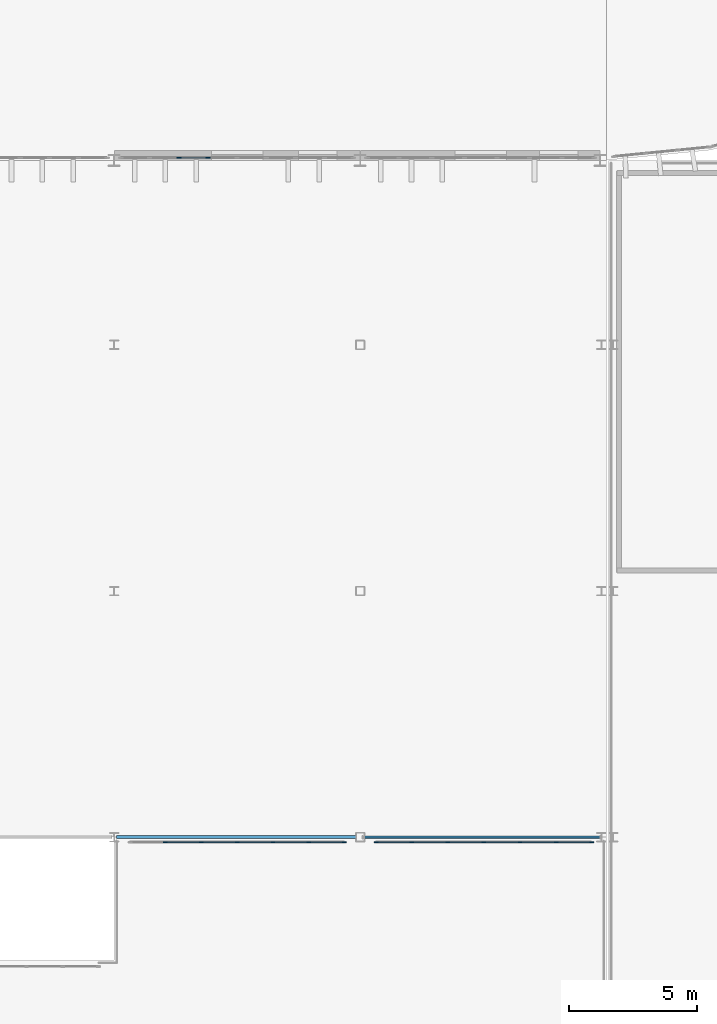
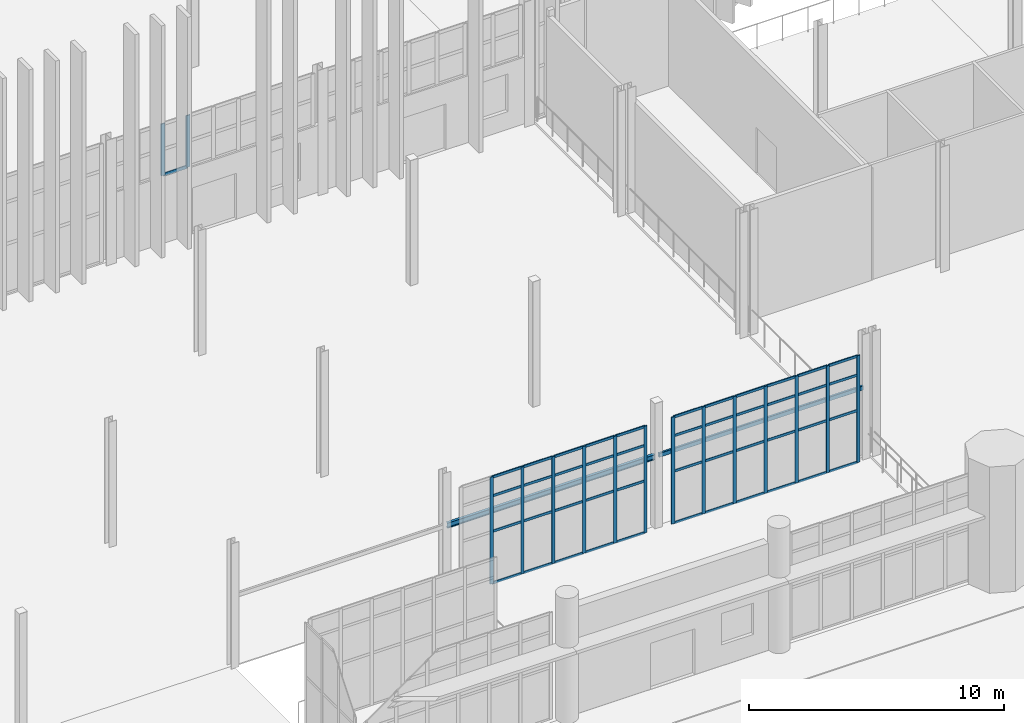
# One storey, part 51 of 139: 60 members, 2 beams, 3 elements without a shape of their own.
"""IFC4 building model written with IfcOpenShell, lengths in metres."""

from ifc_helpers import new_model, si_unit, direction, frame, origin, origin_2d, place, context, subcontext, project, spatial, rectangle, hollow_rectangle, i_section, extrude, material, layer, layer_set, material_profile, profile_set, type_object, element, aggregate, save


model = new_model("IFC4")

# Units and contexts
model_context = context("Model", 3, precision=1e-05, world=origin(), true_north=direction((0.0, 1.0)))
body_context = subcontext(model_context, "Body", "Model", "MODEL_VIEW")
ifc_project = project(units=[si_unit("LENGTHUNIT", "METRE"), si_unit("AREAUNIT", "SQUARE_METRE"), si_unit("VOLUMEUNIT", "CUBIC_METRE"), si_unit("PLANEANGLEUNIT", "RADIAN"), si_unit("MASSUNIT", "GRAM", prefix="KILO")], contexts=[model_context])

# Site, building, storey
site_placement = place(None, origin())
site = spatial("IfcSite", under=ifc_project, at=site_placement, CompositionType="ELEMENT")
building_placement = place(site_placement, origin())
building = spatial("IfcBuilding", under=site, at=building_placement, Name="Yeouljin Market Hall", CompositionType="ELEMENT")
storey_placement = place(building_placement, origin())
storey = spatial("IfcBuildingStorey", under=building, at=storey_placement, Name="L00", CompositionType="ELEMENT", Elevation=0.0)

# Curtain wall, members
ifc_material_1 = material(Name="Thermally Broken Aluminium", Category="aluminium")
ifc_layer_1 = layer(ifc_material_1, 0.14990234375)
ifc_layer_set_1 = layer_set([ifc_layer_1], Name="Thermally Broken Aluminium")
curtain_wall_type_1 = type_object("IfcCurtainWallType", Name="CW_ColonnadeScreen_System", PredefinedType="USERDEFINED", material=ifc_layer_set_1)
curtain_wall_1_placement = place(storey_placement, origin())
curtain_wall_1 = element("IfcCurtainWall", 1, at=curtain_wall_1_placement, inside=storey, type_object=curtain_wall_type_1, Name="Curtain wall CW-V5N-L00-5", ObjectType="CURTAIN WALL", PredefinedType="USERDEFINED")
ifc_material_2 = material(Name="Thermally Broken Aluminium", Category="aluminium")
ifc_material_profile_1 = material_profile(ifc_material_2, rectangle(XDim=0.048095703125, YDim=0.14990234375, at=origin_2d()), Name="CW-MULL-48x150")
ifc_profile_set_1 = profile_set([ifc_material_profile_1], Name="Thermally Broken Aluminium")
member_type_1 = type_object("IfcMemberType", Name="CWMullion_48x150", PredefinedType="MULLION", material=ifc_profile_set_1)
member_1_placement = place(storey_placement, frame((123.800048828125, 9.39990234375, 0.0), z_axis=(0.0, 0.0, 1.0), x_axis=(0.0, 1.0, 0.0)))
member_1 = element("IfcMember", 2, at=member_1_placement, type_object=member_type_1, Name="CW-06 mullion 2", PredefinedType="MULLION", context=body_context, shape_type="SweptSolid", body=[
    extrude(rectangle(XDim=0.048095703125, YDim=0.14990234375, at=origin_2d()), origin(), (0.0, 0.0, 1.0), 5.1201171875),
])
member_2_placement = place(storey_placement, frame((125.199951171875, 9.39990234375, 0.0), z_axis=(0.0, 0.0, 1.0), x_axis=(0.0, 1.0, 0.0)))
member_2 = element("IfcMember", 3, at=member_2_placement, type_object=member_type_1, Name="CW-06 mullion 3", PredefinedType="MULLION", context=body_context, shape_type="SweptSolid", body=[
    extrude(rectangle(XDim=0.048095703125, YDim=0.14990234375, at=origin_2d()), origin(), (0.0, 0.0, 1.0), 5.1201171875),
])
member_3_placement = place(storey_placement, frame((126.60009765625, 9.39990234375, 0.0), z_axis=(0.0, 0.0, 1.0), x_axis=(0.0, 1.0, 0.0)))
member_3 = element("IfcMember", 4, at=member_3_placement, type_object=member_type_1, Name="CW-06 mullion 4", PredefinedType="MULLION", context=body_context, shape_type="SweptSolid", body=[
    extrude(rectangle(XDim=0.048095703125, YDim=0.14990234375, at=origin_2d()), origin(), (0.0, 0.0, 1.0), 5.1201171875),
])
member_4_placement = place(storey_placement, frame((128.0, 9.39990234375, 0.0), z_axis=(0.0, 0.0, 1.0), x_axis=(0.0, 1.0, 0.0)))
member_4 = element("IfcMember", 5, at=member_4_placement, type_object=member_type_1, Name="CW-06 mullion 5", PredefinedType="MULLION", context=body_context, shape_type="SweptSolid", body=[
    extrude(rectangle(XDim=0.048095703125, YDim=0.14990234375, at=origin_2d()), origin(), (0.0, 0.0, 1.0), 5.1201171875),
])
member_5_placement = place(storey_placement, frame((129.39990234375, 9.39990234375, 0.0), z_axis=(0.0, 0.0, 1.0), x_axis=(0.0, 1.0, 0.0)))
member_5 = element("IfcMember", 6, at=member_5_placement, type_object=member_type_1, Name="CW-06 mullion 6", PredefinedType="MULLION", context=body_context, shape_type="SweptSolid", body=[
    extrude(rectangle(XDim=0.048095703125, YDim=0.14990234375, at=origin_2d()), origin(), (0.0, 0.0, 1.0), 5.1201171875),
])
member_6_placement = place(storey_placement, frame((130.77587890625, 9.39990234375, 0.0), z_axis=(0.0, 0.0, 1.0), x_axis=(0.0, 1.0, 0.0)))
member_6 = element("IfcMember", 7, at=member_6_placement, type_object=member_type_1, Name="CW-06 mullion 7", PredefinedType="MULLION", context=body_context, shape_type="SweptSolid", body=[
    extrude(rectangle(XDim=0.048095703125, YDim=0.14990234375, at=origin_2d()), origin(), (0.0, 0.0, 1.0), 5.1201171875),
])

curtain_wall_2_placement = place(storey_placement, origin())
curtain_wall_2 = element("IfcCurtainWall", 8, at=curtain_wall_2_placement, inside=storey, type_object=curtain_wall_type_1, Name="Curtain wall CW-V5N-L00-6", ObjectType="CURTAIN WALL", PredefinedType="USERDEFINED")
member_7_placement = place(storey_placement, frame((132.02392578125, 9.39990234375, 0.0), z_axis=(0.0, 0.0, 1.0), x_axis=(0.0, 1.0, 0.0)))
member_7 = element("IfcMember", 9, at=member_7_placement, type_object=member_type_1, Name="CW-06 mullion 1", PredefinedType="MULLION", context=body_context, shape_type="SweptSolid", body=[
    extrude(rectangle(XDim=0.048095703125, YDim=0.14990234375, at=origin_2d()), origin(), (0.0, 0.0, 1.0), 5.1201171875),
])
member_8_placement = place(storey_placement, frame((133.408447265625, 9.39990234375, 0.0), z_axis=(0.0, 0.0, 1.0), x_axis=(0.0, 1.0, 0.0)))
member_8 = element("IfcMember", 10, at=member_8_placement, type_object=member_type_1, Name="CW-06 mullion 2", PredefinedType="MULLION", context=body_context, shape_type="SweptSolid", body=[
    extrude(rectangle(XDim=0.048095703125, YDim=0.14990234375, at=origin_2d()), origin(), (0.0, 0.0, 1.0), 5.1201171875),
])
member_9_placement = place(storey_placement, frame((134.816650390625, 9.39990234375, 0.0), z_axis=(0.0, 0.0, 1.0), x_axis=(0.0, 1.0, 0.0)))
member_9 = element("IfcMember", 11, at=member_9_placement, type_object=member_type_1, Name="CW-06 mullion 3", PredefinedType="MULLION", context=body_context, shape_type="SweptSolid", body=[
    extrude(rectangle(XDim=0.048095703125, YDim=0.14990234375, at=origin_2d()), origin(), (0.0, 0.0, 1.0), 5.1201171875),
])
member_10_placement = place(storey_placement, frame((136.22509765625, 9.39990234375, 0.0), z_axis=(0.0, 0.0, 1.0), x_axis=(0.0, 1.0, 0.0)))
member_10 = element("IfcMember", 12, at=member_10_placement, type_object=member_type_1, Name="CW-06 mullion 4", PredefinedType="MULLION", context=body_context, shape_type="SweptSolid", body=[
    extrude(rectangle(XDim=0.048095703125, YDim=0.14990234375, at=origin_2d()), origin(), (0.0, 0.0, 1.0), 5.1201171875),
])
member_11_placement = place(storey_placement, frame((137.63330078125, 9.39990234375, 0.0), z_axis=(0.0, 0.0, 1.0), x_axis=(0.0, 1.0, 0.0)))
member_11 = element("IfcMember", 13, at=member_11_placement, type_object=member_type_1, Name="CW-06 mullion 5", PredefinedType="MULLION", context=body_context, shape_type="SweptSolid", body=[
    extrude(rectangle(XDim=0.048095703125, YDim=0.14990234375, at=origin_2d()), origin(), (0.0, 0.0, 1.0), 5.1201171875),
])
member_12_placement = place(storey_placement, frame((139.041748046875, 9.39990234375, 0.0), z_axis=(0.0, 0.0, 1.0), x_axis=(0.0, 1.0, 0.0)))
member_12 = element("IfcMember", 14, at=member_12_placement, type_object=member_type_1, Name="CW-06 mullion 6", PredefinedType="MULLION", context=body_context, shape_type="SweptSolid", body=[
    extrude(rectangle(XDim=0.048095703125, YDim=0.14990234375, at=origin_2d()), origin(), (0.0, 0.0, 1.0), 5.1201171875),
])
member_13_placement = place(storey_placement, frame((140.426025390625, 9.39990234375, 0.0), z_axis=(0.0, 0.0, 1.0), x_axis=(0.0, 1.0, 0.0)))
member_13 = element("IfcMember", 15, at=member_13_placement, type_object=member_type_1, Name="CW-06 mullion 7", PredefinedType="MULLION", context=body_context, shape_type="SweptSolid", body=[
    extrude(rectangle(XDim=0.048095703125, YDim=0.14990234375, at=origin_2d()), origin(), (0.0, 0.0, 1.0), 5.1201171875),
])

ifc_material_3 = material(Name="Thermally Broken Aluminium", Category="aluminium")
ifc_layer_2 = layer(ifc_material_3, 0.179931640625)
ifc_layer_set_2 = layer_set([ifc_layer_2], Name="Thermally Broken Aluminium")
curtain_wall_type_2 = type_object("IfcCurtainWallType", Name="CW_HallNave_System", PredefinedType="USERDEFINED", material=ifc_layer_set_2)
curtain_wall_3_placement = place(storey_placement, origin())
curtain_wall_3 = element("IfcCurtainWall", 16, at=curtain_wall_3_placement, inside=storey, type_object=curtain_wall_type_2, Name="Curtain wall CW-V1S-L00-10", ObjectType="CURTAIN WALL", PredefinedType="USERDEFINED")
ifc_material_4 = material(Name="Thermally Broken Aluminium", Category="aluminium")
ifc_material_profile_2 = material_profile(ifc_material_4, rectangle(XDim=0.048095703125, YDim=0.179931640625, at=origin_2d()), Name="CW-MULL-48x180")
ifc_profile_set_2 = profile_set([ifc_material_profile_2], Name="Thermally Broken Aluminium")
member_type_2 = type_object("IfcMemberType", Name="CWMullion_48x180", PredefinedType="MULLION", material=ifc_profile_set_2)
member_14_placement = place(storey_placement, frame((125.46240234375, 36.10009765625, 3.199951171875), z_axis=(0.0, 0.0, 1.0), x_axis=(0.0, -1.0, 0.0)))
member_14 = element("IfcMember", 17, at=member_14_placement, type_object=member_type_2, Name="CW-01 mullion 6", PredefinedType="MULLION", context=body_context, shape_type="SweptSolid", body=[
    extrude(rectangle(XDim=0.048095703125, YDim=0.179931640625, at=origin_2d()), origin(), (0.0, 0.0, 1.0), 2.47998046875),
])
member_15_placement = place(storey_placement, frame((124.324951171875, 36.10009765625, 3.199951171875), z_axis=(0.0, 0.0, 1.0), x_axis=(0.0, -1.0, 0.0)))
member_15 = element("IfcMember", 18, at=member_15_placement, type_object=member_type_2, Name="CW-01 mullion 7", PredefinedType="MULLION", context=body_context, shape_type="SweptSolid", body=[
    extrude(rectangle(XDim=0.048095703125, YDim=0.179931640625, at=origin_2d()), origin(), (0.0, 0.0, 1.0), 2.47998046875),
])

# Member
ifc_material_5 = material(Name="Thermally Broken Aluminium", Category="aluminium")
ifc_material_profile_3 = material_profile(ifc_material_5, rectangle(XDim=0.048095703125, YDim=0.1201171875, at=origin_2d()), Name="CW-TRAN-48x120")
ifc_profile_set_3 = profile_set([ifc_material_profile_3], Name="Thermally Broken Aluminium")
member_type_3 = type_object("IfcMemberType", Name="CWTransom_48x120", PredefinedType="USERDEFINED", material=ifc_profile_set_3)
member_16_placement = place(storey_placement, frame((123.823974609375, 9.39990234375, 0.02392578125), z_axis=(1.0, 0.0, 0.0), x_axis=(0.0, 1.0, 0.0)))
member_16 = element("IfcMember", 19, at=member_16_placement, type_object=member_type_3, Name="CW-06 transom 2.1", ObjectType="TRANSOM", PredefinedType="USERDEFINED", context=body_context, shape_type="SweptSolid", body=[
    extrude(rectangle(XDim=0.048095703125, YDim=0.1201171875, at=origin_2d()), origin(), (0.0, 0.0, 1.0), 1.35205078125),
])

member_17_placement = place(storey_placement, frame((123.823974609375, 9.39990234375, 2.5), z_axis=(1.0, 0.0, 0.0), x_axis=(0.0, 1.0, 0.0)))
member_17 = element("IfcMember", 20, at=member_17_placement, type_object=member_type_3, Name="CW-06 transom 2.2", ObjectType="TRANSOM", PredefinedType="USERDEFINED", context=body_context, shape_type="SweptSolid", body=[
    extrude(rectangle(XDim=0.048095703125, YDim=0.1201171875, at=origin_2d()), origin(), (0.0, 0.0, 1.0), 1.35205078125),
])

member_18_placement = place(storey_placement, frame((123.823974609375, 9.39990234375, 4.199951171875), z_axis=(1.0, 0.0, 0.0), x_axis=(0.0, 1.0, 0.0)))
member_18 = element("IfcMember", 21, at=member_18_placement, type_object=member_type_3, Name="CW-06 transom 2.3", ObjectType="TRANSOM", PredefinedType="USERDEFINED", context=body_context, shape_type="SweptSolid", body=[
    extrude(rectangle(XDim=0.048095703125, YDim=0.1201171875, at=origin_2d()), origin(), (0.0, 0.0, 1.0), 1.35205078125),
])

member_19_placement = place(storey_placement, frame((123.823974609375, 9.39990234375, 5.095947265625), z_axis=(1.0, 0.0, 0.0), x_axis=(0.0, 1.0, 0.0)))
member_19 = element("IfcMember", 22, at=member_19_placement, type_object=member_type_3, Name="CW-06 transom 2.4", ObjectType="TRANSOM", PredefinedType="USERDEFINED", context=body_context, shape_type="SweptSolid", body=[
    extrude(rectangle(XDim=0.048095703125, YDim=0.1201171875, at=origin_2d()), origin(), (0.0, 0.0, 1.0), 1.35205078125),
])

member_20_placement = place(storey_placement, frame((125.22412109375, 9.39990234375, 0.02392578125), z_axis=(1.0, 0.0, 0.0), x_axis=(0.0, 1.0, 0.0)))
member_20 = element("IfcMember", 23, at=member_20_placement, type_object=member_type_3, Name="CW-06 transom 3.1", ObjectType="TRANSOM", PredefinedType="USERDEFINED", context=body_context, shape_type="SweptSolid", body=[
    extrude(rectangle(XDim=0.048095703125, YDim=0.1201171875, at=origin_2d()), origin(), (0.0, 0.0, 1.0), 1.351806640625),
])

member_21_placement = place(storey_placement, frame((125.22412109375, 9.39990234375, 2.5), z_axis=(1.0, 0.0, 0.0), x_axis=(0.0, 1.0, 0.0)))
member_21 = element("IfcMember", 24, at=member_21_placement, type_object=member_type_3, Name="CW-06 transom 3.2", ObjectType="TRANSOM", PredefinedType="USERDEFINED", context=body_context, shape_type="SweptSolid", body=[
    extrude(rectangle(XDim=0.048095703125, YDim=0.1201171875, at=origin_2d()), origin(), (0.0, 0.0, 1.0), 1.351806640625),
])

member_22_placement = place(storey_placement, frame((125.22412109375, 9.39990234375, 4.199951171875), z_axis=(1.0, 0.0, 0.0), x_axis=(0.0, 1.0, 0.0)))
member_22 = element("IfcMember", 25, at=member_22_placement, type_object=member_type_3, Name="CW-06 transom 3.3", ObjectType="TRANSOM", PredefinedType="USERDEFINED", context=body_context, shape_type="SweptSolid", body=[
    extrude(rectangle(XDim=0.048095703125, YDim=0.1201171875, at=origin_2d()), origin(), (0.0, 0.0, 1.0), 1.351806640625),
])

member_23_placement = place(storey_placement, frame((125.22412109375, 9.39990234375, 5.095947265625), z_axis=(1.0, 0.0, 0.0), x_axis=(0.0, 1.0, 0.0)))
member_23 = element("IfcMember", 26, at=member_23_placement, type_object=member_type_3, Name="CW-06 transom 3.4", ObjectType="TRANSOM", PredefinedType="USERDEFINED", context=body_context, shape_type="SweptSolid", body=[
    extrude(rectangle(XDim=0.048095703125, YDim=0.1201171875, at=origin_2d()), origin(), (0.0, 0.0, 1.0), 1.351806640625),
])

member_24_placement = place(storey_placement, frame((126.6240234375, 9.39990234375, 0.02392578125), z_axis=(1.0, 0.0, 0.0), x_axis=(0.0, 1.0, 0.0)))
member_24 = element("IfcMember", 27, at=member_24_placement, type_object=member_type_3, Name="CW-06 transom 4.1", ObjectType="TRANSOM", PredefinedType="USERDEFINED", context=body_context, shape_type="SweptSolid", body=[
    extrude(rectangle(XDim=0.048095703125, YDim=0.1201171875, at=origin_2d()), origin(), (0.0, 0.0, 1.0), 1.35205078125),
])

member_25_placement = place(storey_placement, frame((126.6240234375, 9.39990234375, 2.5), z_axis=(1.0, 0.0, 0.0), x_axis=(0.0, 1.0, 0.0)))
member_25 = element("IfcMember", 28, at=member_25_placement, type_object=member_type_3, Name="CW-06 transom 4.2", ObjectType="TRANSOM", PredefinedType="USERDEFINED", context=body_context, shape_type="SweptSolid", body=[
    extrude(rectangle(XDim=0.048095703125, YDim=0.1201171875, at=origin_2d()), origin(), (0.0, 0.0, 1.0), 1.35205078125),
])

member_26_placement = place(storey_placement, frame((126.6240234375, 9.39990234375, 4.199951171875), z_axis=(1.0, 0.0, 0.0), x_axis=(0.0, 1.0, 0.0)))
member_26 = element("IfcMember", 29, at=member_26_placement, type_object=member_type_3, Name="CW-06 transom 4.3", ObjectType="TRANSOM", PredefinedType="USERDEFINED", context=body_context, shape_type="SweptSolid", body=[
    extrude(rectangle(XDim=0.048095703125, YDim=0.1201171875, at=origin_2d()), origin(), (0.0, 0.0, 1.0), 1.35205078125),
])

member_27_placement = place(storey_placement, frame((126.6240234375, 9.39990234375, 5.095947265625), z_axis=(1.0, 0.0, 0.0), x_axis=(0.0, 1.0, 0.0)))
member_27 = element("IfcMember", 30, at=member_27_placement, type_object=member_type_3, Name="CW-06 transom 4.4", ObjectType="TRANSOM", PredefinedType="USERDEFINED", context=body_context, shape_type="SweptSolid", body=[
    extrude(rectangle(XDim=0.048095703125, YDim=0.1201171875, at=origin_2d()), origin(), (0.0, 0.0, 1.0), 1.35205078125),
])

member_28_placement = place(storey_placement, frame((128.02392578125, 9.39990234375, 0.02392578125), z_axis=(1.0, 0.0, 0.0), x_axis=(0.0, 1.0, 0.0)))
member_28 = element("IfcMember", 31, at=member_28_placement, type_object=member_type_3, Name="CW-06 transom 5.1", ObjectType="TRANSOM", PredefinedType="USERDEFINED", context=body_context, shape_type="SweptSolid", body=[
    extrude(rectangle(XDim=0.048095703125, YDim=0.1201171875, at=origin_2d()), origin(), (0.0, 0.0, 1.0), 1.35205078125),
])

member_29_placement = place(storey_placement, frame((128.02392578125, 9.39990234375, 2.5), z_axis=(1.0, 0.0, 0.0), x_axis=(0.0, 1.0, 0.0)))
member_29 = element("IfcMember", 32, at=member_29_placement, type_object=member_type_3, Name="CW-06 transom 5.2", ObjectType="TRANSOM", PredefinedType="USERDEFINED", context=body_context, shape_type="SweptSolid", body=[
    extrude(rectangle(XDim=0.048095703125, YDim=0.1201171875, at=origin_2d()), origin(), (0.0, 0.0, 1.0), 1.35205078125),
])

member_30_placement = place(storey_placement, frame((128.02392578125, 9.39990234375, 4.199951171875), z_axis=(1.0, 0.0, 0.0), x_axis=(0.0, 1.0, 0.0)))
member_30 = element("IfcMember", 33, at=member_30_placement, type_object=member_type_3, Name="CW-06 transom 5.3", ObjectType="TRANSOM", PredefinedType="USERDEFINED", context=body_context, shape_type="SweptSolid", body=[
    extrude(rectangle(XDim=0.048095703125, YDim=0.1201171875, at=origin_2d()), origin(), (0.0, 0.0, 1.0), 1.35205078125),
])

member_31_placement = place(storey_placement, frame((128.02392578125, 9.39990234375, 5.095947265625), z_axis=(1.0, 0.0, 0.0), x_axis=(0.0, 1.0, 0.0)))
member_31 = element("IfcMember", 34, at=member_31_placement, type_object=member_type_3, Name="CW-06 transom 5.4", ObjectType="TRANSOM", PredefinedType="USERDEFINED", context=body_context, shape_type="SweptSolid", body=[
    extrude(rectangle(XDim=0.048095703125, YDim=0.1201171875, at=origin_2d()), origin(), (0.0, 0.0, 1.0), 1.35205078125),
])

member_32_placement = place(storey_placement, frame((129.424072265625, 9.39990234375, 0.02392578125), z_axis=(1.0, 0.0, 0.0), x_axis=(0.0, 1.0, 0.0)))
member_32 = element("IfcMember", 35, at=member_32_placement, type_object=member_type_3, Name="CW-06 transom 6.1", ObjectType="TRANSOM", PredefinedType="USERDEFINED", context=body_context, shape_type="SweptSolid", body=[
    extrude(rectangle(XDim=0.048095703125, YDim=0.1201171875, at=origin_2d()), origin(), (0.0, 0.0, 1.0), 1.327880859375),
])

member_33_placement = place(storey_placement, frame((129.424072265625, 9.39990234375, 2.5), z_axis=(1.0, 0.0, 0.0), x_axis=(0.0, 1.0, 0.0)))
member_33 = element("IfcMember", 36, at=member_33_placement, type_object=member_type_3, Name="CW-06 transom 6.2", ObjectType="TRANSOM", PredefinedType="USERDEFINED", context=body_context, shape_type="SweptSolid", body=[
    extrude(rectangle(XDim=0.048095703125, YDim=0.1201171875, at=origin_2d()), origin(), (0.0, 0.0, 1.0), 1.327880859375),
])

member_34_placement = place(storey_placement, frame((129.424072265625, 9.39990234375, 4.199951171875), z_axis=(1.0, 0.0, 0.0), x_axis=(0.0, 1.0, 0.0)))
member_34 = element("IfcMember", 37, at=member_34_placement, type_object=member_type_3, Name="CW-06 transom 6.3", ObjectType="TRANSOM", PredefinedType="USERDEFINED", context=body_context, shape_type="SweptSolid", body=[
    extrude(rectangle(XDim=0.048095703125, YDim=0.1201171875, at=origin_2d()), origin(), (0.0, 0.0, 1.0), 1.327880859375),
])

member_35_placement = place(storey_placement, frame((129.424072265625, 9.39990234375, 5.095947265625), z_axis=(1.0, 0.0, 0.0), x_axis=(0.0, 1.0, 0.0)))
member_35 = element("IfcMember", 38, at=member_35_placement, type_object=member_type_3, Name="CW-06 transom 6.4", ObjectType="TRANSOM", PredefinedType="USERDEFINED", context=body_context, shape_type="SweptSolid", body=[
    extrude(rectangle(XDim=0.048095703125, YDim=0.1201171875, at=origin_2d()), origin(), (0.0, 0.0, 1.0), 1.327880859375),
])

aggregate(curtain_wall_1, [member_1, member_2, member_3, member_4, member_5, member_6, member_16, member_17, member_18, member_19, member_20, member_21, member_22, member_23, member_24, member_25, member_26, member_27, member_28, member_29, member_30, member_31, member_32, member_33, member_34, member_35])

member_36_placement = place(storey_placement, frame((132.048095703125, 9.39990234375, 0.02392578125), z_axis=(1.0, 0.0, 0.0), x_axis=(0.0, 1.0, 0.0)))
member_36 = element("IfcMember", 39, at=member_36_placement, type_object=member_type_3, Name="CW-06 transom 1.1", ObjectType="TRANSOM", PredefinedType="USERDEFINED", context=body_context, shape_type="SweptSolid", body=[
    extrude(rectangle(XDim=0.048095703125, YDim=0.1201171875, at=origin_2d()), origin(), (0.0, 0.0, 1.0), 1.336181640625),
])

member_37_placement = place(storey_placement, frame((132.048095703125, 9.39990234375, 2.5), z_axis=(1.0, 0.0, 0.0), x_axis=(0.0, 1.0, 0.0)))
member_37 = element("IfcMember", 40, at=member_37_placement, type_object=member_type_3, Name="CW-06 transom 1.2", ObjectType="TRANSOM", PredefinedType="USERDEFINED", context=body_context, shape_type="SweptSolid", body=[
    extrude(rectangle(XDim=0.048095703125, YDim=0.1201171875, at=origin_2d()), origin(), (0.0, 0.0, 1.0), 1.336181640625),
])

member_38_placement = place(storey_placement, frame((132.048095703125, 9.39990234375, 4.199951171875), z_axis=(1.0, 0.0, 0.0), x_axis=(0.0, 1.0, 0.0)))
member_38 = element("IfcMember", 41, at=member_38_placement, type_object=member_type_3, Name="CW-06 transom 1.3", ObjectType="TRANSOM", PredefinedType="USERDEFINED", context=body_context, shape_type="SweptSolid", body=[
    extrude(rectangle(XDim=0.048095703125, YDim=0.1201171875, at=origin_2d()), origin(), (0.0, 0.0, 1.0), 1.336181640625),
])

member_39_placement = place(storey_placement, frame((132.048095703125, 9.39990234375, 5.095947265625), z_axis=(1.0, 0.0, 0.0), x_axis=(0.0, 1.0, 0.0)))
member_39 = element("IfcMember", 42, at=member_39_placement, type_object=member_type_3, Name="CW-06 transom 1.4", ObjectType="TRANSOM", PredefinedType="USERDEFINED", context=body_context, shape_type="SweptSolid", body=[
    extrude(rectangle(XDim=0.048095703125, YDim=0.1201171875, at=origin_2d()), origin(), (0.0, 0.0, 1.0), 1.336181640625),
])

member_40_placement = place(storey_placement, frame((133.432373046875, 9.39990234375, 0.02392578125), z_axis=(1.0, 0.0, 0.0), x_axis=(0.0, 1.0, 0.0)))
member_40 = element("IfcMember", 43, at=member_40_placement, type_object=member_type_3, Name="CW-06 transom 2.1", ObjectType="TRANSOM", PredefinedType="USERDEFINED", context=body_context, shape_type="SweptSolid", body=[
    extrude(rectangle(XDim=0.048095703125, YDim=0.1201171875, at=origin_2d()), origin(), (0.0, 0.0, 1.0), 1.3603515625),
])

member_41_placement = place(storey_placement, frame((133.432373046875, 9.39990234375, 2.5), z_axis=(1.0, 0.0, 0.0), x_axis=(0.0, 1.0, 0.0)))
member_41 = element("IfcMember", 44, at=member_41_placement, type_object=member_type_3, Name="CW-06 transom 2.2", ObjectType="TRANSOM", PredefinedType="USERDEFINED", context=body_context, shape_type="SweptSolid", body=[
    extrude(rectangle(XDim=0.048095703125, YDim=0.1201171875, at=origin_2d()), origin(), (0.0, 0.0, 1.0), 1.3603515625),
])

member_42_placement = place(storey_placement, frame((133.432373046875, 9.39990234375, 4.199951171875), z_axis=(1.0, 0.0, 0.0), x_axis=(0.0, 1.0, 0.0)))
member_42 = element("IfcMember", 45, at=member_42_placement, type_object=member_type_3, Name="CW-06 transom 2.3", ObjectType="TRANSOM", PredefinedType="USERDEFINED", context=body_context, shape_type="SweptSolid", body=[
    extrude(rectangle(XDim=0.048095703125, YDim=0.1201171875, at=origin_2d()), origin(), (0.0, 0.0, 1.0), 1.3603515625),
])

member_43_placement = place(storey_placement, frame((133.432373046875, 9.39990234375, 5.095947265625), z_axis=(1.0, 0.0, 0.0), x_axis=(0.0, 1.0, 0.0)))
member_43 = element("IfcMember", 46, at=member_43_placement, type_object=member_type_3, Name="CW-06 transom 2.4", ObjectType="TRANSOM", PredefinedType="USERDEFINED", context=body_context, shape_type="SweptSolid", body=[
    extrude(rectangle(XDim=0.048095703125, YDim=0.1201171875, at=origin_2d()), origin(), (0.0, 0.0, 1.0), 1.3603515625),
])

member_44_placement = place(storey_placement, frame((134.840576171875, 9.39990234375, 0.02392578125), z_axis=(1.0, 0.0, 0.0), x_axis=(0.0, 1.0, 0.0)))
member_44 = element("IfcMember", 47, at=member_44_placement, type_object=member_type_3, Name="CW-06 transom 3.1", ObjectType="TRANSOM", PredefinedType="USERDEFINED", context=body_context, shape_type="SweptSolid", body=[
    extrude(rectangle(XDim=0.048095703125, YDim=0.1201171875, at=origin_2d()), origin(), (0.0, 0.0, 1.0), 1.3603515625),
])

member_45_placement = place(storey_placement, frame((134.840576171875, 9.39990234375, 2.5), z_axis=(1.0, 0.0, 0.0), x_axis=(0.0, 1.0, 0.0)))
member_45 = element("IfcMember", 48, at=member_45_placement, type_object=member_type_3, Name="CW-06 transom 3.2", ObjectType="TRANSOM", PredefinedType="USERDEFINED", context=body_context, shape_type="SweptSolid", body=[
    extrude(rectangle(XDim=0.048095703125, YDim=0.1201171875, at=origin_2d()), origin(), (0.0, 0.0, 1.0), 1.3603515625),
])

member_46_placement = place(storey_placement, frame((134.840576171875, 9.39990234375, 4.199951171875), z_axis=(1.0, 0.0, 0.0), x_axis=(0.0, 1.0, 0.0)))
member_46 = element("IfcMember", 49, at=member_46_placement, type_object=member_type_3, Name="CW-06 transom 3.3", ObjectType="TRANSOM", PredefinedType="USERDEFINED", context=body_context, shape_type="SweptSolid", body=[
    extrude(rectangle(XDim=0.048095703125, YDim=0.1201171875, at=origin_2d()), origin(), (0.0, 0.0, 1.0), 1.3603515625),
])

member_47_placement = place(storey_placement, frame((134.840576171875, 9.39990234375, 5.095947265625), z_axis=(1.0, 0.0, 0.0), x_axis=(0.0, 1.0, 0.0)))
member_47 = element("IfcMember", 50, at=member_47_placement, type_object=member_type_3, Name="CW-06 transom 3.4", ObjectType="TRANSOM", PredefinedType="USERDEFINED", context=body_context, shape_type="SweptSolid", body=[
    extrude(rectangle(XDim=0.048095703125, YDim=0.1201171875, at=origin_2d()), origin(), (0.0, 0.0, 1.0), 1.3603515625),
])

member_48_placement = place(storey_placement, frame((136.2490234375, 9.39990234375, 0.02392578125), z_axis=(1.0, 0.0, 0.0), x_axis=(0.0, 1.0, 0.0)))
member_48 = element("IfcMember", 51, at=member_48_placement, type_object=member_type_3, Name="CW-06 transom 4.1", ObjectType="TRANSOM", PredefinedType="USERDEFINED", context=body_context, shape_type="SweptSolid", body=[
    extrude(rectangle(XDim=0.048095703125, YDim=0.1201171875, at=origin_2d()), origin(), (0.0, 0.0, 1.0), 1.3603515625),
])

member_49_placement = place(storey_placement, frame((136.2490234375, 9.39990234375, 2.5), z_axis=(1.0, 0.0, 0.0), x_axis=(0.0, 1.0, 0.0)))
member_49 = element("IfcMember", 52, at=member_49_placement, type_object=member_type_3, Name="CW-06 transom 4.2", ObjectType="TRANSOM", PredefinedType="USERDEFINED", context=body_context, shape_type="SweptSolid", body=[
    extrude(rectangle(XDim=0.048095703125, YDim=0.1201171875, at=origin_2d()), origin(), (0.0, 0.0, 1.0), 1.3603515625),
])

member_50_placement = place(storey_placement, frame((136.2490234375, 9.39990234375, 4.199951171875), z_axis=(1.0, 0.0, 0.0), x_axis=(0.0, 1.0, 0.0)))
member_50 = element("IfcMember", 53, at=member_50_placement, type_object=member_type_3, Name="CW-06 transom 4.3", ObjectType="TRANSOM", PredefinedType="USERDEFINED", context=body_context, shape_type="SweptSolid", body=[
    extrude(rectangle(XDim=0.048095703125, YDim=0.1201171875, at=origin_2d()), origin(), (0.0, 0.0, 1.0), 1.3603515625),
])

member_51_placement = place(storey_placement, frame((136.2490234375, 9.39990234375, 5.095947265625), z_axis=(1.0, 0.0, 0.0), x_axis=(0.0, 1.0, 0.0)))
member_51 = element("IfcMember", 54, at=member_51_placement, type_object=member_type_3, Name="CW-06 transom 4.4", ObjectType="TRANSOM", PredefinedType="USERDEFINED", context=body_context, shape_type="SweptSolid", body=[
    extrude(rectangle(XDim=0.048095703125, YDim=0.1201171875, at=origin_2d()), origin(), (0.0, 0.0, 1.0), 1.3603515625),
])

member_52_placement = place(storey_placement, frame((137.6572265625, 9.39990234375, 0.02392578125), z_axis=(1.0, 0.0, 0.0), x_axis=(0.0, 1.0, 0.0)))
member_52 = element("IfcMember", 55, at=member_52_placement, type_object=member_type_3, Name="CW-06 transom 5.1", ObjectType="TRANSOM", PredefinedType="USERDEFINED", context=body_context, shape_type="SweptSolid", body=[
    extrude(rectangle(XDim=0.048095703125, YDim=0.1201171875, at=origin_2d()), origin(), (0.0, 0.0, 1.0), 1.3603515625),
])

member_53_placement = place(storey_placement, frame((137.6572265625, 9.39990234375, 2.5), z_axis=(1.0, 0.0, 0.0), x_axis=(0.0, 1.0, 0.0)))
member_53 = element("IfcMember", 56, at=member_53_placement, type_object=member_type_3, Name="CW-06 transom 5.2", ObjectType="TRANSOM", PredefinedType="USERDEFINED", context=body_context, shape_type="SweptSolid", body=[
    extrude(rectangle(XDim=0.048095703125, YDim=0.1201171875, at=origin_2d()), origin(), (0.0, 0.0, 1.0), 1.3603515625),
])

member_54_placement = place(storey_placement, frame((137.6572265625, 9.39990234375, 4.199951171875), z_axis=(1.0, 0.0, 0.0), x_axis=(0.0, 1.0, 0.0)))
member_54 = element("IfcMember", 57, at=member_54_placement, type_object=member_type_3, Name="CW-06 transom 5.3", ObjectType="TRANSOM", PredefinedType="USERDEFINED", context=body_context, shape_type="SweptSolid", body=[
    extrude(rectangle(XDim=0.048095703125, YDim=0.1201171875, at=origin_2d()), origin(), (0.0, 0.0, 1.0), 1.3603515625),
])

member_55_placement = place(storey_placement, frame((137.6572265625, 9.39990234375, 5.095947265625), z_axis=(1.0, 0.0, 0.0), x_axis=(0.0, 1.0, 0.0)))
member_55 = element("IfcMember", 58, at=member_55_placement, type_object=member_type_3, Name="CW-06 transom 5.4", ObjectType="TRANSOM", PredefinedType="USERDEFINED", context=body_context, shape_type="SweptSolid", body=[
    extrude(rectangle(XDim=0.048095703125, YDim=0.1201171875, at=origin_2d()), origin(), (0.0, 0.0, 1.0), 1.3603515625),
])

member_56_placement = place(storey_placement, frame((139.065673828125, 9.39990234375, 0.02392578125), z_axis=(1.0, 0.0, 0.0), x_axis=(0.0, 1.0, 0.0)))
member_56 = element("IfcMember", 59, at=member_56_placement, type_object=member_type_3, Name="CW-06 transom 6.1", ObjectType="TRANSOM", PredefinedType="USERDEFINED", context=body_context, shape_type="SweptSolid", body=[
    extrude(rectangle(XDim=0.048095703125, YDim=0.1201171875, at=origin_2d()), origin(), (0.0, 0.0, 1.0), 1.33642578125),
])

member_57_placement = place(storey_placement, frame((139.065673828125, 9.39990234375, 2.5), z_axis=(1.0, 0.0, 0.0), x_axis=(0.0, 1.0, 0.0)))
member_57 = element("IfcMember", 60, at=member_57_placement, type_object=member_type_3, Name="CW-06 transom 6.2", ObjectType="TRANSOM", PredefinedType="USERDEFINED", context=body_context, shape_type="SweptSolid", body=[
    extrude(rectangle(XDim=0.048095703125, YDim=0.1201171875, at=origin_2d()), origin(), (0.0, 0.0, 1.0), 1.33642578125),
])

member_58_placement = place(storey_placement, frame((139.065673828125, 9.39990234375, 4.199951171875), z_axis=(1.0, 0.0, 0.0), x_axis=(0.0, 1.0, 0.0)))
member_58 = element("IfcMember", 61, at=member_58_placement, type_object=member_type_3, Name="CW-06 transom 6.3", ObjectType="TRANSOM", PredefinedType="USERDEFINED", context=body_context, shape_type="SweptSolid", body=[
    extrude(rectangle(XDim=0.048095703125, YDim=0.1201171875, at=origin_2d()), origin(), (0.0, 0.0, 1.0), 1.33642578125),
])

member_59_placement = place(storey_placement, frame((139.065673828125, 9.39990234375, 5.095947265625), z_axis=(1.0, 0.0, 0.0), x_axis=(0.0, 1.0, 0.0)))
member_59 = element("IfcMember", 62, at=member_59_placement, type_object=member_type_3, Name="CW-06 transom 6.4", ObjectType="TRANSOM", PredefinedType="USERDEFINED", context=body_context, shape_type="SweptSolid", body=[
    extrude(rectangle(XDim=0.048095703125, YDim=0.1201171875, at=origin_2d()), origin(), (0.0, 0.0, 1.0), 1.33642578125),
])

aggregate(curtain_wall_2, [member_7, member_8, member_9, member_10, member_11, member_12, member_13, member_36, member_37, member_38, member_39, member_40, member_41, member_42, member_43, member_44, member_45, member_46, member_47, member_48, member_49, member_50, member_51, member_52, member_53, member_54, member_55, member_56, member_57, member_58, member_59])

ifc_material_6 = material(Name="Thermally Broken Aluminium", Category="aluminium")
ifc_material_profile_4 = material_profile(ifc_material_6, rectangle(XDim=0.048095703125, YDim=0.14990234375, at=origin_2d()), Name="CW-TRAN-48x150")
ifc_profile_set_4 = profile_set([ifc_material_profile_4], Name="Thermally Broken Aluminium")
member_type_4 = type_object("IfcMemberType", Name="CWTransom_48x150", PredefinedType="USERDEFINED", material=ifc_profile_set_4)
member_60_placement = place(storey_placement, frame((125.4384765625, 36.10009765625, 3.22412109375), z_axis=(-1.0, 0.0, 0.0), x_axis=(0.0, -1.0, 0.0)))
member_60 = element("IfcMember", 63, at=member_60_placement, type_object=member_type_4, Name="CW-01 transom 6.1", ObjectType="TRANSOM", PredefinedType="USERDEFINED", context=body_context, shape_type="SweptSolid", body=[
    extrude(rectangle(XDim=0.048095703125, YDim=0.14990234375, at=origin_2d()), origin(), (0.0, 0.0, 1.0), 1.08935546875),
])

aggregate(curtain_wall_3, [member_14, member_15, member_60])

# Beams
ifc_material_7 = material(Name="Steel SM355", Category="steel")
ifc_material_profile_5 = material_profile(ifc_material_7, i_section(OverallWidth=0.125, OverallDepth=0.25, WebThickness=0.006103515625, FlangeThickness=0.009033203125, FilletRadius=0.011962890625, at=origin_2d()), Name="H-250x125x6x9")
ifc_profile_set_5 = profile_set([ifc_material_profile_5], Name="Steel SM355")
beam_type_1 = type_object("IfcBeamType", Name="Lintel_H250x125", PredefinedType="LINTEL", material=ifc_profile_set_5)
beam_1_placement = place(storey_placement, frame((121.89990234375, 9.60009765625, 3.35009765625), z_axis=(1.0, 0.0, 0.0), x_axis=(0.0, 1.0, 0.0)))
element("IfcBeam", 64, at=beam_1_placement, inside=storey, type_object=beam_type_1, Name="Colonnade portal lintel L00-05", PredefinedType="LINTEL", context=body_context, shape_type="SweptSolid", body=[
    extrude(i_section(OverallWidth=0.125, OverallDepth=0.25, WebThickness=0.006103515625, FlangeThickness=0.009033203125, FilletRadius=0.011962890625, at=origin_2d()), origin(), (0.0, 0.0, 1.0), 9.400146484375),
])
ifc_material_8 = material(Name="Steel SS275", Category="steel")
ifc_material_profile_6 = material_profile(ifc_material_8, hollow_rectangle(XDim=0.10009765625, YDim=0.199951171875, WallThickness=0.006103515625, InnerFilletRadius=0.006103515625, OuterFilletRadius=0.011962890625, at=origin_2d()), Name="RHS-200x100x6")
ifc_profile_set_6 = profile_set([ifc_material_profile_6], Name="Steel SS275")
beam_type_2 = type_object("IfcBeamType", Name="Lintel_RHS200x100", PredefinedType="LINTEL", material=ifc_profile_set_6)
beam_2_placement = place(storey_placement, frame((131.5, 9.60009765625, 3.35009765625), z_axis=(1.0, 0.0, 0.0), x_axis=(0.0, 1.0, 0.0)))
element("IfcBeam", 65, at=beam_2_placement, inside=storey, type_object=beam_type_2, Name="Colonnade portal lintel L00-06", PredefinedType="LINTEL", context=body_context, shape_type="SweptSolid", body=[
    extrude(hollow_rectangle(XDim=0.10009765625, YDim=0.199951171875, WallThickness=0.006103515625, InnerFilletRadius=0.006103515625, OuterFilletRadius=0.011962890625, at=origin_2d()), origin(), (0.0, 0.0, 1.0), 9.25),
])

save(model, "model.ifc")
